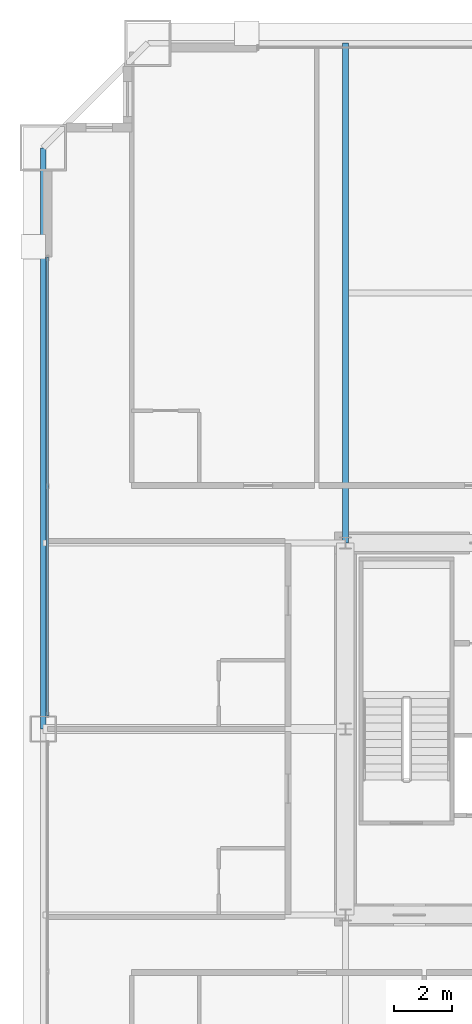
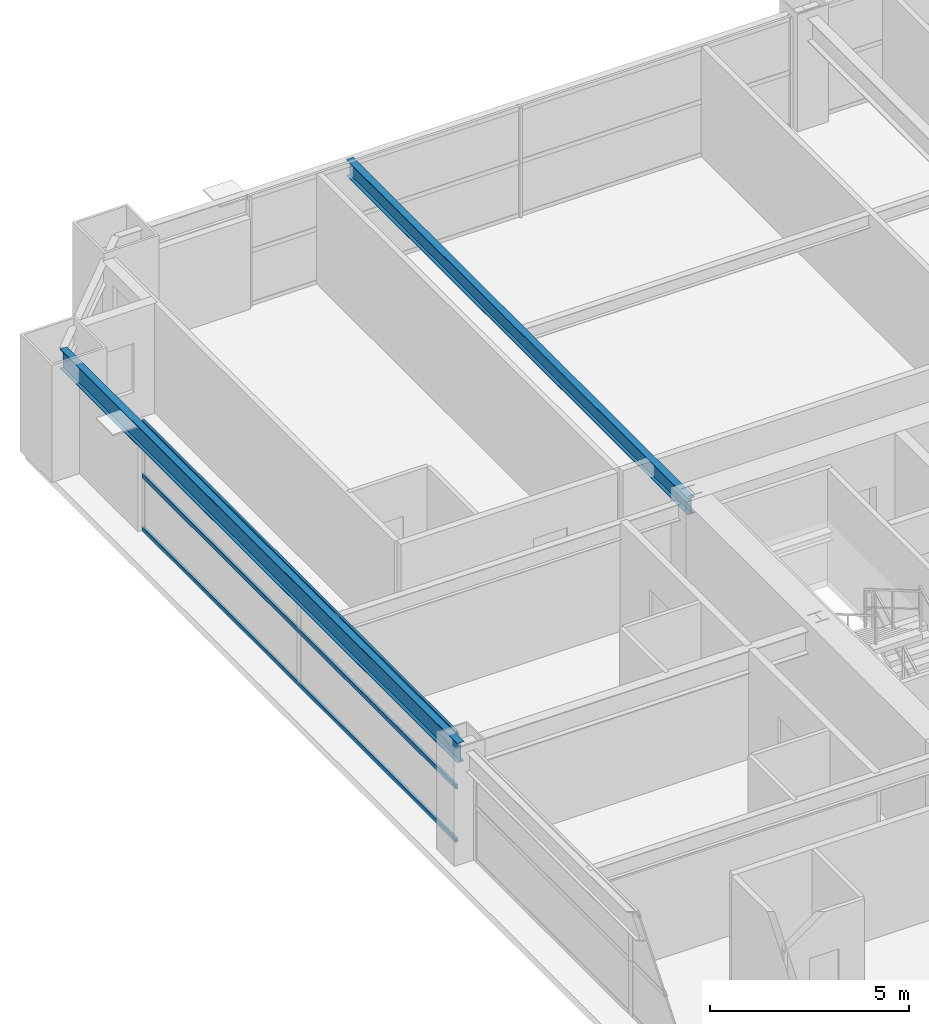
# One storey, part 22 of 39: 3 members, 2 beams, 1 element without a shape of its own.
"""IFC4 building model written with IfcOpenShell, lengths in metres."""

from ifc_helpers import new_model, si_unit, direction, frame, origin, origin_2d, place, context, subcontext, project, spatial, hollow_rectangle, i_section, extrude, source, transform, mapped, material, layer, layer_set, material_profile, profile_set, type_object, element, aggregate, save


model = new_model("IFC4")

# Units and contexts
model_context = context("Model", 3, precision=1e-05, world=origin(), true_north=direction((0.0, 1.0)))
body_context = subcontext(model_context, "Body", "Model", "MODEL_VIEW")
ifc_project = project(units=[si_unit("LENGTHUNIT", "METRE"), si_unit("AREAUNIT", "SQUARE_METRE"), si_unit("VOLUMEUNIT", "CUBIC_METRE"), si_unit("PLANEANGLEUNIT", "RADIAN"), si_unit("MASSUNIT", "GRAM", prefix="KILO"), si_unit("THERMODYNAMICTEMPERATUREUNIT", "KELVIN"), si_unit("POWERUNIT", "WATT")], contexts=[model_context])

# Site, building, storey
site_placement = place(None, origin())
site = spatial("IfcSite", under=ifc_project, at=site_placement, CompositionType="ELEMENT")
building_placement = place(site_placement, origin())
building = spatial("IfcBuilding", under=site, at=building_placement, Name="Yuzanri Waterfront Tower", CompositionType="ELEMENT")
storey_placement = place(building_placement, frame((0.0, 0.0, 134.39990234375)))
storey = spatial("IfcBuildingStorey", under=building, at=storey_placement, Name="L35", CompositionType="ELEMENT", Elevation=134.39990234375)

# Beams
ifc_material_1 = material(Name="Steel Q355B", Category="steel")
ifc_material_profile_1 = material_profile(ifc_material_1, i_section(OverallWidth=0.199951171875, OverallDepth=0.60009765625, WebThickness=0.010986328125, FlangeThickness=0.01708984375, at=origin_2d()), Name="HN 600x200x11x17")
ifc_profile_set_1 = profile_set([ifc_material_profile_1], Name="Steel Q355B")
beam_type_1 = type_object("IfcBeamType", Name="Perimeter Spandrel Q355B HN 600x200", PredefinedType="SPANDREL", material=ifc_profile_set_1)
shared_shape_1 = source(origin(), body_context, "Body", "SweptSolid", [
    extrude(i_section(OverallWidth=0.199951171875, OverallDepth=0.60009765625, WebThickness=0.010986328125, FlangeThickness=0.01708984375, at=origin_2d()), origin(), (0.0, 0.0, 1.0), 20.0),
])
beam_1_placement = place(storey_placement, frame((13.39990234375, 45.800048828125, 3.080078125), z_axis=(0.0, -1.0, 0.0), x_axis=(1.0, 0.0, 0.0)))
element("IfcBeam", 1, at=beam_1_placement, inside=storey, type_object=beam_type_1, Name="L35 Perimeter Spandrel W3-W2", PredefinedType="SPANDREL", context=body_context, shape_type="MappedRepresentation", body=[
    mapped(shared_shape_1, transform((0.0, 0.0, 0.0), scale=1.0)),
])
ifc_material_2 = material(Name="Steel Q355B", Category="steel")
ifc_material_profile_2 = material_profile(ifc_material_2, i_section(OverallWidth=0.199951171875, OverallDepth=0.5, WebThickness=0.010009765625, FlangeThickness=0.01611328125, at=origin_2d()), Name="HN 500x200x10x16")
ifc_profile_set_2 = profile_set([ifc_material_profile_2], Name="Steel Q355B")
beam_type_2 = type_object("IfcBeamType", Name="Secondary Floor Beam Q355B HN 500x200", PredefinedType="BEAM", material=ifc_profile_set_2)
shared_shape_2 = source(origin(), body_context, "Body", "SweptSolid", [
    extrude(i_section(OverallWidth=0.199951171875, OverallDepth=0.5, WebThickness=0.010009765625, FlangeThickness=0.01611328125, at=origin_2d()), origin(), (0.0, 0.0, 1.0), 17.199951171875),
])
beam_2_placement = place(storey_placement, frame((23.800048828125, 32.199951171875, 3.130126953125), z_axis=(0.0, 1.0, 0.0), x_axis=(-1.0, 0.0, 0.0)))
element("IfcBeam", 2, at=beam_2_placement, inside=storey, type_object=beam_type_2, Name="L35 North-West Core Line Beam", PredefinedType="BEAM", context=body_context, shape_type="MappedRepresentation", body=[
    mapped(shared_shape_2, transform((0.0, 0.0, 0.0), scale=1.0)),
])

# Curtain wall, members
ifc_material_3 = material(Name="Anodized Architectural Bronze", Category="metal")
ifc_layer = layer(ifc_material_3, 0.159912109375)
ifc_layer_set = layer_set([ifc_layer], Name="Anodized Architectural Bronze")
curtain_wall_type = type_object("IfcCurtainWallType", Name="Anodized Bronze Hotel Upper-Tier Solar-Control Unitized Curtain Wall 7800", PredefinedType="NOTDEFINED", material=ifc_layer_set)
curtain_wall_placement = place(storey_placement, origin())
curtain_wall = element("IfcCurtainWall", 3, at=curtain_wall_placement, inside=storey, type_object=curtain_wall_type, Name="L35 Curtain Wall CW-L35-WR", PredefinedType="NOTDEFINED")
ifc_material_4 = material(Name="Anodized Architectural Bronze", Category="metal")
ifc_material_profile_3 = material_profile(ifc_material_4, hollow_rectangle(XDim=0.070068359375, YDim=0.135009765625, WallThickness=0.00341796875, at=origin_2d()), Name="CWT 70x135")
ifc_profile_set_3 = profile_set([ifc_material_profile_3], Name="Anodized Architectural Bronze")
member_type = type_object("IfcMemberType", Name="Anodized Bronze Standard Curtain-Wall Transom 70x135", PredefinedType="USERDEFINED", material=ifc_profile_set_3)
shared_shape_3 = source(origin(), body_context, "Body", "SweptSolid", [
    extrude(hollow_rectangle(XDim=0.070068359375, YDim=0.135009765625, WallThickness=0.00341796875, at=origin_2d()), origin(), (0.0, 0.0, 1.0), 15.800048828125),
])
member_1_placement = place(storey_placement, frame((13.550048828125, 26.25, 0.050048828125), z_axis=(0.0, 1.0, 0.0), x_axis=(-1.0, 0.0, 0.0)))
member_1 = element("IfcMember", 4, at=member_1_placement, type_object=member_type, Name="CW-L35-WR Transom 1", ObjectType="TRANSOM", PredefinedType="USERDEFINED", context=body_context, shape_type="MappedRepresentation", body=[
    mapped(shared_shape_3, transform((0.0, 0.0, 0.0), scale=1.0)),
])
member_2_placement = place(storey_placement, frame((13.550048828125, 26.25, 1.690185546875), z_axis=(0.0, 1.0, 0.0), x_axis=(-1.0, 0.0, 0.0)))
member_2 = element("IfcMember", 5, at=member_2_placement, type_object=member_type, Name="CW-L35-WR Transom 2", ObjectType="TRANSOM", PredefinedType="USERDEFINED", context=body_context, shape_type="MappedRepresentation", body=[
    mapped(shared_shape_3, transform((0.0, 0.0, 0.0), scale=1.0)),
])
member_3_placement = place(storey_placement, frame((13.550048828125, 26.25, 3.330078125), z_axis=(0.0, 1.0, 0.0), x_axis=(-1.0, 0.0, 0.0)))
member_3 = element("IfcMember", 6, at=member_3_placement, type_object=member_type, Name="CW-L35-WR Transom 3", ObjectType="TRANSOM", PredefinedType="USERDEFINED", context=body_context, shape_type="MappedRepresentation", body=[
    mapped(shared_shape_3, transform((0.0, 0.0, 0.0), scale=1.0)),
])
aggregate(curtain_wall, [member_1, member_2, member_3])

save(model, "model.ifc")
